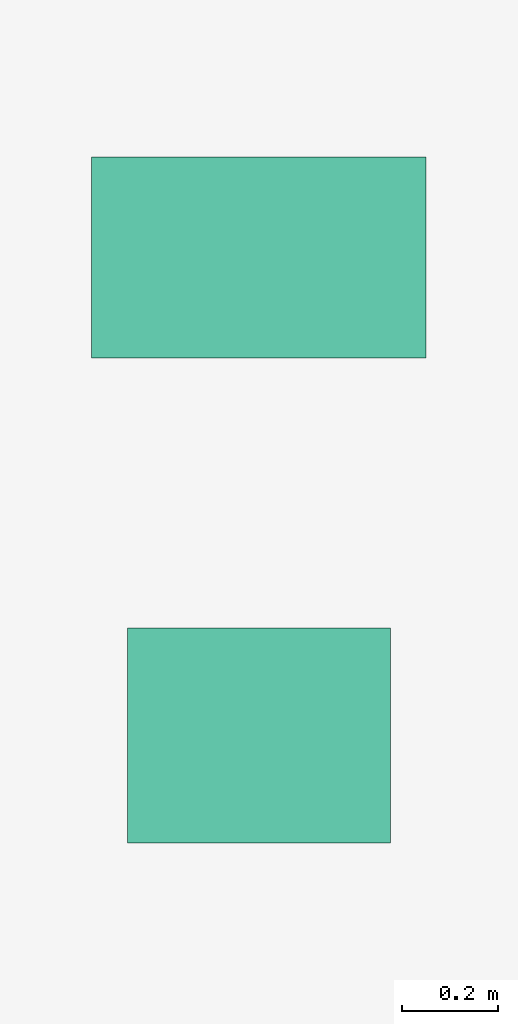
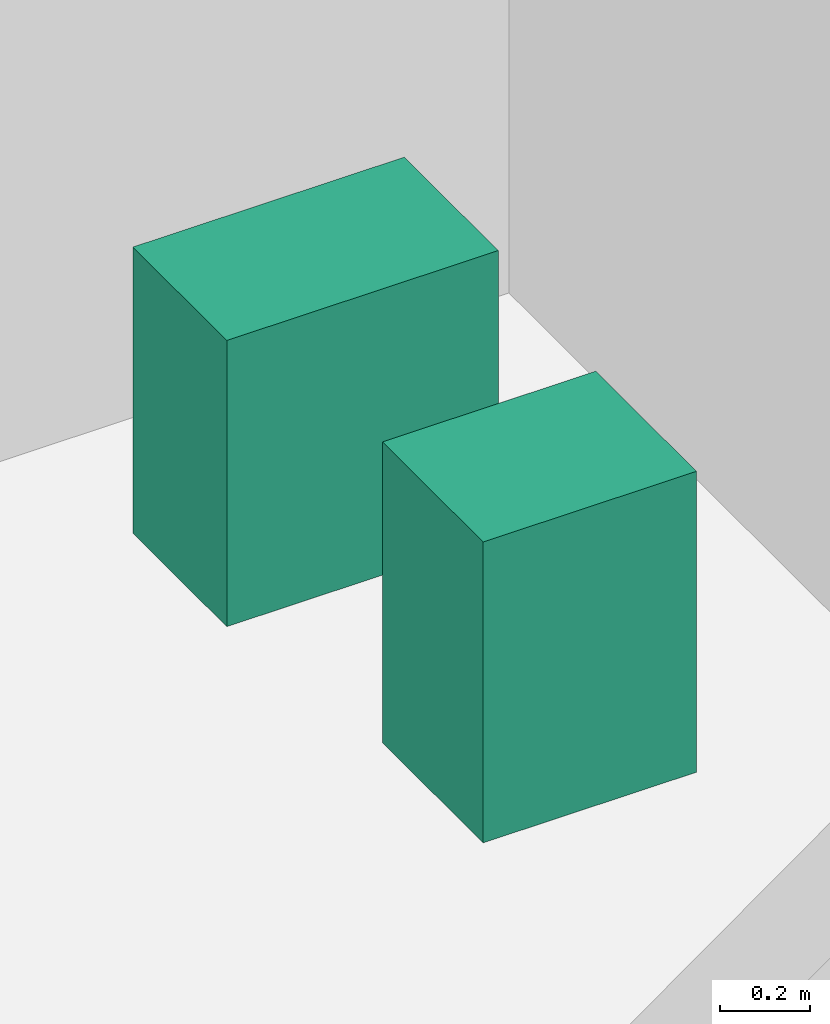
# One storey, part 29 of 29: 2 sanitary terminals.
"""IFC4 building model written with IfcOpenShell, lengths in metres."""

from ifc_helpers import new_model, si_unit, direction, frame, origin, origin_2d, place, context, subcontext, project, spatial, rectangle, extrude, source, transform, mapped, material, type_object, element, save


model = new_model("IFC4")

# Units and contexts
model_context = context("Model", 3, precision=1e-05, world=origin(), true_north=direction((0.0, 1.0)))
body_context = subcontext(model_context, "Body", "Model", "MODEL_VIEW")
ifc_project = project(units=[si_unit("LENGTHUNIT", "METRE"), si_unit("AREAUNIT", "SQUARE_METRE"), si_unit("VOLUMEUNIT", "CUBIC_METRE"), si_unit("PLANEANGLEUNIT", "RADIAN"), si_unit("MASSUNIT", "GRAM", prefix="KILO")], contexts=[model_context])

# Site, building, storey
site_placement = place(None, origin())
site = spatial("IfcSite", under=ifc_project, at=site_placement, CompositionType="ELEMENT")
building_placement = place(site_placement, origin())
building = spatial("IfcBuilding", under=site, at=building_placement, Name="Sumidabori Civic Tower", CompositionType="ELEMENT")
storey_placement = place(building_placement, frame((0.0, 0.0, 207.199951171875)))
storey = spatial("IfcBuildingStorey", under=building, at=storey_placement, Name="L53", CompositionType="ELEMENT", Elevation=207.199951171875)

# Sanitary terminals
ifc_material = material(Name="Vitreous Sanitary Porcelain")
sanitary_terminal_type_1 = type_object("IfcSanitaryTerminalType", Name="SN-WC-1", PredefinedType="TOILETPAN", material=ifc_material)
shared_shape_1 = source(origin(), body_context, "Body", "SweptSolid", [
    extrude(rectangle(XDim=0.699951171875, YDim=0.419921875, at=origin_2d()), origin(), (0.0, 0.0, 1.0), 0.780029296875),
])
sanitary_terminal_1_placement = place(storey_placement, frame((10.800048828125, 21.85009765625, 0.0), z_axis=(0.0, 0.0, 1.0), x_axis=(1.0, 0.0, 0.0)))
element("IfcSanitaryTerminal", 1, at=sanitary_terminal_1_placement, inside=storey, type_object=sanitary_terminal_type_1, Name="Accessible WC Pan L53", PredefinedType="TOILETPAN", context=body_context, shape_type="MappedRepresentation", body=[
    mapped(shared_shape_1, transform((0.0, 0.0, 0.0), x_axis=(1.0, 0.0, 0.0), y_axis=(0.0, 1.0, 0.0), z_axis=(0.0, 0.0, 1.0), scale=1.0)),
])
sanitary_terminal_type_2 = type_object("IfcSanitaryTerminalType", Name="SN-BAS-1", PredefinedType="WASHHANDBASIN", material=ifc_material)
shared_shape_2 = source(origin(), body_context, "Body", "SweptSolid", [
    extrude(rectangle(XDim=0.550048828125, YDim=0.449951171875, at=origin_2d()), origin(), (0.0, 0.0, 1.0), 0.820068359375),
])
sanitary_terminal_2_placement = place(storey_placement, frame((10.800048828125, 20.85009765625, 0.0), z_axis=(0.0, 0.0, 1.0), x_axis=(1.0, 0.0, 0.0)))
element("IfcSanitaryTerminal", 2, at=sanitary_terminal_2_placement, inside=storey, type_object=sanitary_terminal_type_2, Name="Accessible Basin L53", PredefinedType="WASHHANDBASIN", context=body_context, shape_type="MappedRepresentation", body=[
    mapped(shared_shape_2, transform((0.0, 0.0, 0.0), x_axis=(1.0, 0.0, 0.0), y_axis=(0.0, 1.0, 0.0), z_axis=(0.0, 0.0, 1.0), scale=1.0)),
])

save(model, "model.ifc")
